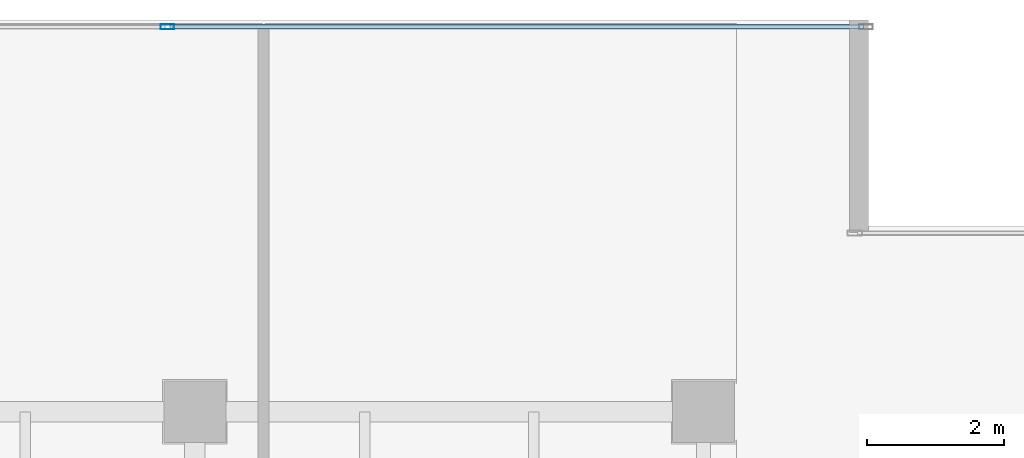
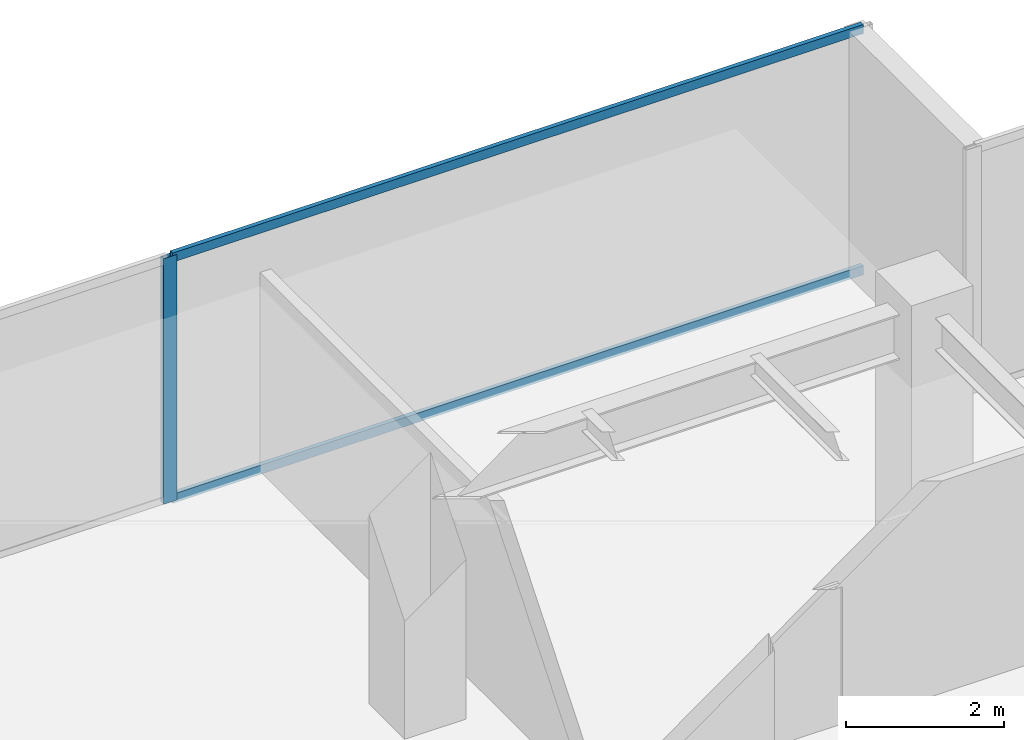
# One storey, part 20 of 33: 3 members, 1 element without a shape of its own.
"""IFC4 building model written with IfcOpenShell, lengths in metres."""

import ifcopenshell
import ifcopenshell.guid

model = None  # the IFC model being written
_history = None  # IfcOwnerHistory: only IFC2X3 demands one
_inside = {}  # id of a spatial element -> (the spatial element, [elements in it])
_under = {}  # id of a project, library or spatial element -> (it, [spatial elements below it])
_declared = {}  # id of a project -> (the project, [libraries it declares])
_typed = {}  # id of a type object -> (the type object, [elements of that type])
_made_of = {}  # id of a material, layer set ... -> (it, [elements and type objects made of it])


def new_model(schema):
    """Start an empty IFC model of exactly this schema.

    Asked for "IFC4X3", IfcOpenShell would pick the latest addendum, in which some entities
    have other attributes; the version numbers below select the first issue.
    IFC2X3 requires an IfcOwnerHistory on every rooted entity: one is made here for all.
    """
    global model, _history
    if schema == "IFC4X3":
        model = ifcopenshell.file(schema_version=(4, 3, 0, 0))
    else:
        model = ifcopenshell.file(schema=schema)
    _inside.clear()
    _under.clear()
    _declared.clear()
    _typed.clear()
    _made_of.clear()
    _history = None
    if model.schema == "IFC2X3":
        org = make("IfcOrganization", Name="unknown")
        user = make(
            "IfcPersonAndOrganization",
            ThePerson=make("IfcPerson", FamilyName="unknown"),
            TheOrganization=org,
        )
        app = make(
            "IfcApplication",
            ApplicationDeveloper=org,
            Version="unknown",
            ApplicationFullName="unknown",
            ApplicationIdentifier="unknown",
        )
        _history = make(
            "IfcOwnerHistory",
            OwningUser=user,
            OwningApplication=app,
            ChangeAction="ADDED",
            CreationDate=0,
        )
    return model


def make(cls, **values):
    """One entity of the class cls with the attributes given. An attribute that is None is left unset."""
    return model.create_entity(
        cls, **{name: value for name, value in values.items() if value is not None}
    )


def rooted(cls, **values):
    """An entity with a GlobalId (a new one), such as an element, a storey or a relation."""
    return make(cls, GlobalId=ifcopenshell.guid.new(), OwnerHistory=_history, **values)


def si_unit(unit_type, name, prefix=None):
    """IfcSIUnit, for example si_unit("LENGTHUNIT", "METRE", prefix="MILLI")."""
    return make("IfcSIUnit", UnitType=unit_type, Prefix=prefix, Name=name)


def assignment(units):
    """IfcUnitAssignment: the units of a project."""
    return None if units is None else make("IfcUnitAssignment", Units=units)


def point(xyz):
    """IfcCartesianPoint."""
    return None if xyz is None else make("IfcCartesianPoint", Coordinates=xyz)


def direction(xyz):
    """IfcDirection."""
    return None if xyz is None else make("IfcDirection", DirectionRatios=xyz)


def frame(location, z_axis=None, x_axis=None):
    """IfcAxis2Placement3D, a coordinate frame: its origin and axes. An axis left out is left unset."""
    return make(
        "IfcAxis2Placement3D",
        Location=point(location),
        Axis=direction(z_axis),
        RefDirection=direction(x_axis),
    )


def frame_2d(location, x_axis=None):
    """IfcAxis2Placement2D, a coordinate frame in the plane: its origin and x axis."""
    return make(
        "IfcAxis2Placement2D", Location=point(location), RefDirection=direction(x_axis)
    )


def origin():
    """The frame at (0, 0, 0) with its axes left unset."""
    return frame((0.0, 0.0, 0.0))


def origin_2d():
    """The frame at (0, 0) in the plane with its x axis left unset."""
    return frame_2d((0.0, 0.0))


def place(relative_to, where):
    """IfcLocalPlacement: puts the frame where relative to a parent placement (None: the world)."""
    return make(
        "IfcLocalPlacement", PlacementRelTo=relative_to, RelativePlacement=where
    )


def context(
    kind, dimensions, precision=None, world=None, true_north=None, identifier=None
):
    """IfcGeometricRepresentationContext, for example the 3D "Model" context."""
    return make(
        "IfcGeometricRepresentationContext",
        ContextIdentifier=identifier,
        ContextType=kind,
        CoordinateSpaceDimension=dimensions,
        Precision=precision,
        WorldCoordinateSystem=world,
        TrueNorth=true_north,
    )


def subcontext(parent, identifier, kind, view, scale=None):
    """IfcGeometricRepresentationSubContext, for example "Body" below "Model"."""
    return make(
        "IfcGeometricRepresentationSubContext",
        ContextIdentifier=identifier,
        ContextType=kind,
        ParentContext=parent,
        TargetScale=scale,
        TargetView=view,
    )


def project(units=None, contexts=None):
    """IfcProject with its units and contexts."""
    return rooted(
        "IfcProject",
        Name="project",
        RepresentationContexts=contexts,
        UnitsInContext=assignment(units),
    )


def spatial(cls, under=None, at=None, **own):
    """A site, building, storey or space (cls), placed at a placement, below another one or the project."""
    s = rooted(cls, ObjectPlacement=at, **own)
    if under is not None:
        _under.setdefault(under.id(), (under, []))[1].append(s)
    return s


def profile(cls, at=None, kind="AREA", **sizes):
    """A parametric profile (cls). Its sizes go by their IFC names, for example OverallWidth=200.0."""
    return make(cls, ProfileType=kind, Position=at, **sizes)


def hollow_rectangle(**sizes):
    """IfcRectangleHollowProfileDef."""
    return profile("IfcRectangleHollowProfileDef", **sizes)


def extrude(swept, where, along, depth):
    """IfcExtrudedAreaSolid: the profile swept, set in the frame where, extruded along a direction by depth."""
    return make(
        "IfcExtrudedAreaSolid",
        SweptArea=swept,
        Position=where,
        ExtrudedDirection=direction(along),
        Depth=depth,
    )


def shape(context_of_items, identifier, shape_type, items):
    """IfcShapeRepresentation: the items that make up one representation, for example the "Body"."""
    return make(
        "IfcShapeRepresentation",
        ContextOfItems=context_of_items,
        RepresentationIdentifier=identifier,
        RepresentationType=shape_type,
        Items=items,
    )


def source(mapping_origin, context_of_items, identifier, shape_type, items):
    """IfcRepresentationMap: a shape defined once, which mapped items show again and again."""
    return make(
        "IfcRepresentationMap",
        MappingOrigin=mapping_origin,
        MappedRepresentation=shape(context_of_items, identifier, shape_type, items),
    )


def transform(
    local_origin,
    x_axis=None,
    y_axis=None,
    z_axis=None,
    scale=None,
    scale2=None,
    scale3=None,
    uniform=True,
):
    """IfcCartesianTransformationOperator3D, or its non-uniform kind. x_axis, y_axis, z_axis: its Axis1, 2, 3."""
    if uniform:
        return make(
            "IfcCartesianTransformationOperator3D",
            Axis1=direction(x_axis),
            Axis2=direction(y_axis),
            LocalOrigin=point(local_origin),
            Scale=scale,
            Axis3=direction(z_axis),
        )
    return make(
        "IfcCartesianTransformationOperator3DnonUniform",
        Axis1=direction(x_axis),
        Axis2=direction(y_axis),
        LocalOrigin=point(local_origin),
        Scale=scale,
        Axis3=direction(z_axis),
        Scale2=scale2,
        Scale3=scale3,
    )


def mapped(mapping_source, mapping_target):
    """IfcMappedItem: shows the shape of a source again, moved by a transform."""
    return make(
        "IfcMappedItem", MappingSource=mapping_source, MappingTarget=mapping_target
    )


def material(Name=None, Category=None):
    """IfcMaterial."""
    return make("IfcMaterial", Name=Name, Category=Category)


def layer(
    of_material, thickness, ventilated=None, Name=None, Category=None, Priority=None
):
    """IfcMaterialLayer: one layer of a wall or slab, of a material (None: an air gap)."""
    return make(
        "IfcMaterialLayer",
        Material=of_material,
        LayerThickness=thickness,
        IsVentilated=ventilated,
        Name=Name,
        Category=Category,
        Priority=Priority,
    )


def layer_set(layers, Name=None):
    """IfcMaterialLayerSet."""
    return make("IfcMaterialLayerSet", MaterialLayers=layers, LayerSetName=Name)


def material_profile(
    of_material, cross_section, Name=None, Category=None, Priority=None
):
    """IfcMaterialProfile: a cross section and its material."""
    return make(
        "IfcMaterialProfile",
        Name=Name,
        Material=of_material,
        Profile=cross_section,
        Priority=Priority,
        Category=Category,
    )


def profile_set(profiles, Name=None, composite=None):
    """IfcMaterialProfileSet."""
    return make(
        "IfcMaterialProfileSet",
        Name=Name,
        MaterialProfiles=profiles,
        CompositeProfile=composite,
    )


def made_of(thing, what):
    """Note that an element or type object is made of a material, layer set ...; save() writes the relation."""
    if what is not None:
        _made_of.setdefault(what.id(), (what, []))[1].append(thing)
    return thing


def type_object(cls, material=None, **own):
    """A type object (cls), such as IfcWallType, which elements share."""
    return made_of(rooted(cls, **own), material)


def type_shapes(of_type, sources):
    """Give a type object the sources (RepresentationMaps) that its elements show as mapped items."""
    of_type.RepresentationMaps = sources


def element(
    cls,
    number,
    at=None,
    inside=None,
    cuts=None,
    type_object=None,
    material=None,
    context=None,
    identifier="Body",
    shape_type=None,
    held_by="IfcProductDefinitionShape",
    body=None,
    shapes=None,
    **own,
):
    """One element of the class cls, such as IfcWall. Its Tag is "e" and its number.

    at: its placement. inside: the storey or other place that contains it. cuts: it is an
    opening in that element (IfcRelVoidsElement). A single representation is given by context,
    identifier, shape_type and body (its items); several are given by shapes. held_by: the class
    of the entity that holds the representations. save() writes the other relations.
    """
    e = rooted(cls, Tag="e%d" % number, ObjectPlacement=at, **own)
    if body is not None:
        shapes = [shape(context, identifier, shape_type, body)]
    if shapes is not None:
        e.Representation = make(held_by, Representations=shapes)
    if inside is not None:
        _inside.setdefault(inside.id(), (inside, []))[1].append(e)
    if cuts is not None:
        rooted(
            "IfcRelVoidsElement", RelatingBuildingElement=cuts, RelatedOpeningElement=e
        )
    if type_object is not None:
        _typed.setdefault(type_object.id(), (type_object, []))[1].append(e)
    return made_of(e, material)


def aggregate(whole, parts):
    """IfcRelAggregates: a whole, such as a stair, and the parts it consists of."""
    return rooted("IfcRelAggregates", RelatingObject=whole, RelatedObjects=parts)


def save(model, path):
    """Write the relations noted so far, then the file.

    IfcRelAggregates (storeys below a building ...), IfcRelContainedInSpatialStructure (elements
    in a storey), IfcRelDefinesByType, IfcRelAssociatesMaterial and IfcRelDeclares: one each for
    every whole, place, type object, material and project.
    """
    for whole, parts in _under.values():
        aggregate(whole, parts)
    for where, things in _inside.values():
        rooted(
            "IfcRelContainedInSpatialStructure",
            RelatedElements=things,
            RelatingStructure=where,
        )
    for kind, things in _typed.values():
        rooted("IfcRelDefinesByType", RelatedObjects=things, RelatingType=kind)
    for what, things in _made_of.values():
        rooted("IfcRelAssociatesMaterial", RelatedObjects=things, RelatingMaterial=what)
    for by, libraries in _declared.values():
        rooted("IfcRelDeclares", RelatingContext=by, RelatedDefinitions=libraries)
    model.write(path)


model = new_model("IFC4")

# Units and contexts
model_context = context("Model", 3, precision=1e-05, world=origin(), true_north=direction((0.0, 1.0)))
body_context = subcontext(model_context, "Body", "Model", "MODEL_VIEW")
ifc_project = project(units=[si_unit("LENGTHUNIT", "METRE"), si_unit("AREAUNIT", "SQUARE_METRE"), si_unit("VOLUMEUNIT", "CUBIC_METRE"), si_unit("PLANEANGLEUNIT", "RADIAN"), si_unit("MASSUNIT", "GRAM", prefix="KILO")], contexts=[model_context])

# Site, building, storey
site_placement = place(None, origin())
site = spatial("IfcSite", under=ifc_project, at=site_placement, CompositionType="ELEMENT")
building_placement = place(site_placement, origin())
building = spatial("IfcBuilding", under=site, at=building_placement, Name="Haelvirn Gate Laboratories", CompositionType="ELEMENT")
storey_placement = place(building_placement, frame((0.0, 0.0, 133.800048828125)))
storey = spatial("IfcBuildingStorey", under=building, at=storey_placement, Name="L32", CompositionType="ELEMENT", Elevation=133.800048828125)

# Curtain wall, members
ifc_material_1 = material(Name="Anodised bronze unitised aluminium & triple low-E glass", Category="aluminium")
ifc_layer = layer(ifc_material_1, 0.179931640625, Name="CW-SYS-3")
ifc_layer_set = layer_set([ifc_layer], Name="Anodised bronze unitised aluminium & triple low-E glass")
curtain_wall_type = type_object("IfcCurtainWallType", Name="CW-SYS-3", PredefinedType="NOTDEFINED", material=ifc_layer_set)
curtain_wall_placement = place(storey_placement, origin())
curtain_wall = element("IfcCurtainWall", 1, at=curtain_wall_placement, inside=storey, type_object=curtain_wall_type, Name="L32 Unitised Curtain Wall CW-L32-P0-E10-1", PredefinedType="NOTDEFINED")
ifc_material_2 = material(Name="Extruded aluminium 6063-T6 (anodised bronze)", Category="aluminium")
ifc_material_profile_1 = material_profile(ifc_material_2, hollow_rectangle(XDim=0.06494140625, YDim=0.139892578125, WallThickness=0.00390625, at=origin_2d()), Name="CWT-140x65x4")
ifc_profile_set_1 = profile_set([ifc_material_profile_1], Name="Extruded aluminium 6063-T6 (anodised bronze)")
member_type_1 = type_object("IfcMemberType", Name="CWT-T140", PredefinedType="USERDEFINED", material=ifc_profile_set_1)
shared_shape_1 = source(origin(), body_context, "Body", "SweptSolid", [
    extrude(hollow_rectangle(XDim=0.06494140625, YDim=0.139892578125, WallThickness=0.00390625, at=origin_2d()), origin(), (0.0, 0.0, 1.0), 10.087646484375),
])
type_shapes(member_type_1, [shared_shape_1])
member_1_placement = place(storey_placement, frame((59.637451171875, 47.199951171875, 0.032470703125), z_axis=(1.0, 0.0, 0.0), x_axis=(0.0, 1.0, 0.0)))
member_1 = element("IfcMember", 2, at=member_1_placement, type_object=member_type_1, Name="CW3 transom 2.1", ObjectType="TRANSOM", PredefinedType="USERDEFINED", context=body_context, shape_type="MappedRepresentation", body=[
    mapped(shared_shape_1, transform((0.0, 0.0, 0.0), scale=1.0)),
])
member_2_placement = place(storey_placement, frame((59.637451171875, 47.199951171875, 3.757568359375), z_axis=(1.0, 0.0, 0.0), x_axis=(0.0, 1.0, 0.0)))
member_2 = element("IfcMember", 3, at=member_2_placement, type_object=member_type_1, Name="CW3 transom 2.2", ObjectType="TRANSOM", PredefinedType="USERDEFINED", context=body_context, shape_type="MappedRepresentation", body=[
    mapped(shared_shape_1, transform((0.0, 0.0, 0.0), scale=1.0)),
])
ifc_material_profile_2 = material_profile(ifc_material_2, hollow_rectangle(XDim=0.074951171875, YDim=0.199951171875, WallThickness=0.0048828125, at=origin_2d()), Name="CWM-200x75x5")
ifc_profile_set_2 = profile_set([ifc_material_profile_2], Name="Extruded aluminium 6063-T6 (anodised bronze)")
member_type_2 = type_object("IfcMemberType", Name="CWM-T200", PredefinedType="MULLION", material=ifc_profile_set_2)
shared_shape_2 = source(origin(), body_context, "Body", "SweptSolid", [
    extrude(hollow_rectangle(XDim=0.074951171875, YDim=0.199951171875, WallThickness=0.0048828125, at=origin_2d()), origin(), (0.0, 0.0, 1.0), 3.7900390625),
])
type_shapes(member_type_2, [shared_shape_2])
member_3_placement = place(storey_placement, frame((59.60009765625, 47.199951171875, 0.0), z_axis=(0.0, 0.0, 1.0), x_axis=(0.0, 1.0, 0.0)))
member_3 = element("IfcMember", 4, at=member_3_placement, type_object=member_type_2, Name="CW3 mullion 2", PredefinedType="MULLION", context=body_context, shape_type="MappedRepresentation", body=[
    mapped(shared_shape_2, transform((0.0, 0.0, 0.0), scale=1.0)),
])
aggregate(curtain_wall, [member_3, member_1, member_2])

save(model, "model.ifc")
